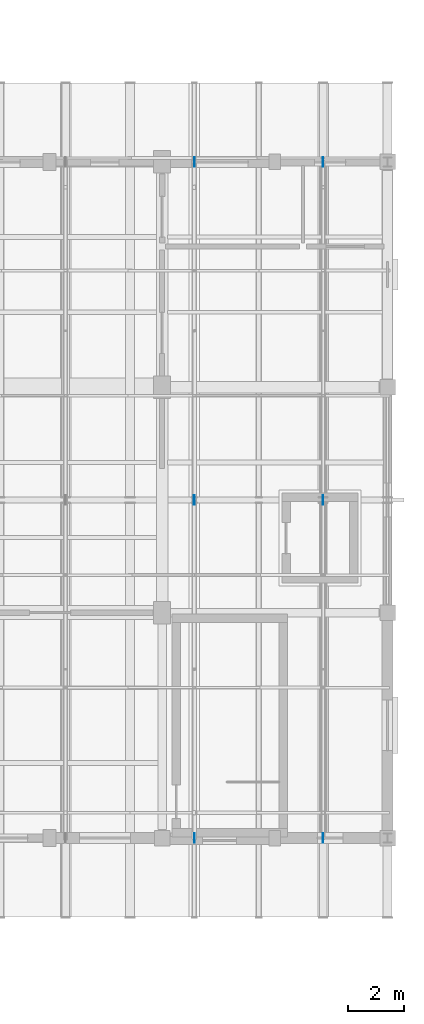
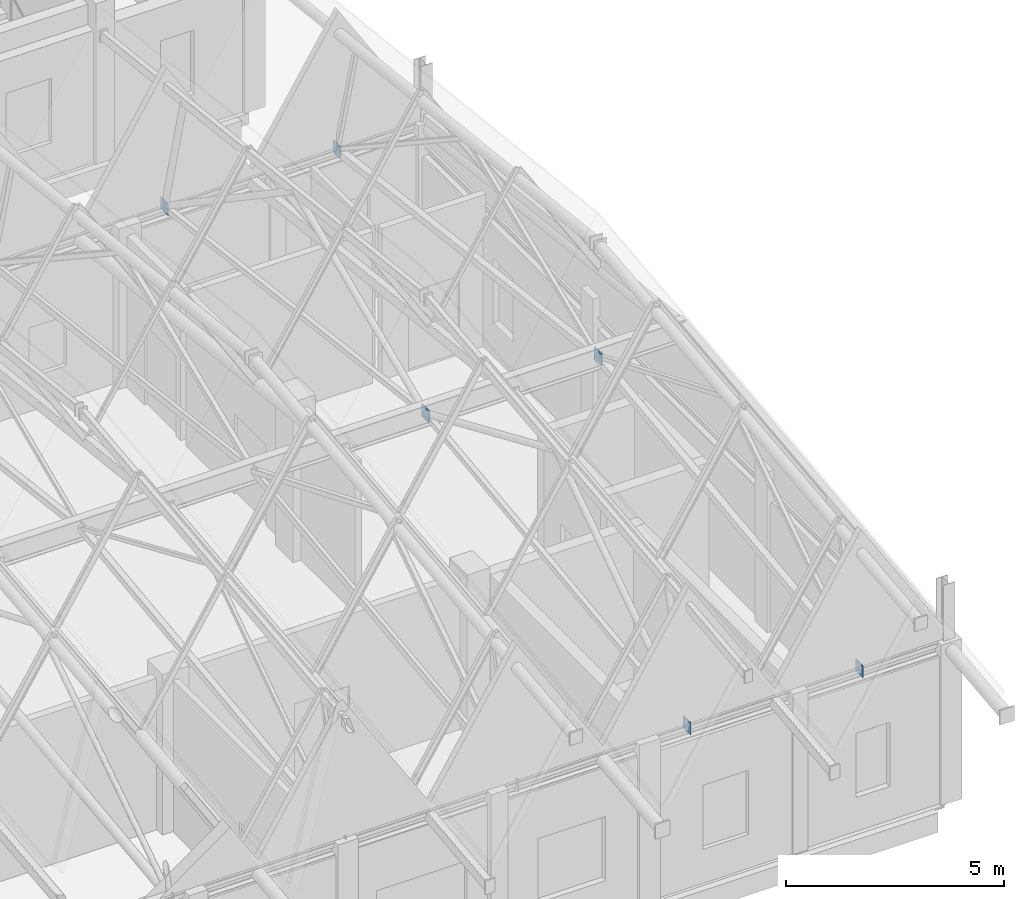
# One storey, part 39 of 77: 6 plates.
"""IFC4 building model written with IfcOpenShell, lengths in metres."""

from ifc_helpers import new_model, si_unit, direction, frame, origin, origin_2d, place, context, subcontext, project, spatial, rectangle, extrude, material, layer, layer_set, type_object, element, save


model = new_model("IFC4")

# Units and contexts
model_context = context("Model", 3, precision=1e-05, world=origin(), true_north=direction((0.0, 1.0)))
body_context = subcontext(model_context, "Body", "Model", "MODEL_VIEW")
ifc_project = project(units=[si_unit("LENGTHUNIT", "METRE"), si_unit("AREAUNIT", "SQUARE_METRE"), si_unit("VOLUMEUNIT", "CUBIC_METRE"), si_unit("PLANEANGLEUNIT", "RADIAN"), si_unit("MASSUNIT", "GRAM", prefix="KILO")], contexts=[model_context])

# Site, building, storey
site_placement = place(None, origin())
site = spatial("IfcSite", under=ifc_project, at=site_placement, CompositionType="ELEMENT")
building_placement = place(site_placement, origin())
building = spatial("IfcBuilding", under=site, at=building_placement, Name="Luwemba Playhouse", CompositionType="ELEMENT")
storey_placement = place(building_placement, frame((0.0, 0.0, 9.300048828125)))
storey = spatial("IfcBuildingStorey", under=building, at=storey_placement, Name="L02", CompositionType="ELEMENT", Elevation=9.300048828125)

# Plates
ifc_material = material(Name="Steel S355", Category="steel")
ifc_layer_1 = layer(ifc_material, 0.01611328125)
ifc_layer_set_1 = layer_set([ifc_layer_1], Name="Steel S355")
plate_type_1 = type_object("IfcPlateType", Name="PLT-GP1", PredefinedType="USERDEFINED", material=ifc_layer_set_1)
for number, where, z_axis, x_axis, name in (
    (1, (165.142822265625, 60.0, 4.22998046875), (0.0, 0.0, 1.0), (1.0, 0.0, 0.0), "Truss node gusset cap plate 0087"),
    (2, (169.71435546875, 60.0, 4.22998046875), (0.0, 0.0, 1.0), (1.0, 0.0, 0.0), "Truss node gusset cap plate 0090"),
):
    element("IfcPlate", number, at=place(storey_placement, frame(where, z_axis=z_axis, x_axis=x_axis)), inside=storey, type_object=plate_type_1, Name=name, ObjectType="GUSSET PLATE", PredefinedType="USERDEFINED", context=body_context, shape_type="SweptSolid", body=[
        extrude(rectangle(XDim=0.01611328125, YDim=0.340087890625, at=origin_2d()), origin(), (0.0, 0.0, 1.0), 0.340087890625),
    ])
ifc_layer_2 = layer(ifc_material, 0.02001953125)
ifc_layer_set_2 = layer_set([ifc_layer_2], Name="Steel S355")
plate_type_2 = type_object("IfcPlateType", Name="PLT-GP2", PredefinedType="USERDEFINED", material=ifc_layer_set_2)
for number, where, z_axis, x_axis, name in (
    (3, (165.142822265625, 36.0, 4.22998046875), (0.0, 0.0, 1.0), (1.0, 0.0, 0.0), "Truss node gusset cap plate 0085"),
    (4, (169.71435546875, 36.0, 4.22998046875), (0.0, 0.0, 1.0), (1.0, 0.0, 0.0), "Truss node gusset cap plate 0088"),
):
    element("IfcPlate", number, at=place(storey_placement, frame(where, z_axis=z_axis, x_axis=x_axis)), inside=storey, type_object=plate_type_2, Name=name, ObjectType="GUSSET PLATE", PredefinedType="USERDEFINED", context=body_context, shape_type="SweptSolid", body=[
        extrude(rectangle(XDim=0.02001953125, YDim=0.340087890625, at=origin_2d()), origin(), (0.0, 0.0, 1.0), 0.340087890625),
    ])
ifc_layer_3 = layer(ifc_material, 0.02490234375)
ifc_layer_set_3 = layer_set([ifc_layer_3], Name="Steel S355")
plate_type_3 = type_object("IfcPlateType", Name="PLT-GP3", PredefinedType="USERDEFINED", material=ifc_layer_set_3)
for number, where, z_axis, x_axis, name in (
    (5, (165.142822265625, 48.0, 5.69580078125), (0.0, 0.0, 1.0), (1.0, 0.0, 0.0), "Truss node gusset cap plate 0086"),
    (6, (169.71435546875, 48.0, 5.69580078125), (0.0, 0.0, 1.0), (1.0, 0.0, 0.0), "Truss node gusset cap plate 0089"),
):
    element("IfcPlate", number, at=place(storey_placement, frame(where, z_axis=z_axis, x_axis=x_axis)), inside=storey, type_object=plate_type_3, Name=name, ObjectType="GUSSET PLATE", PredefinedType="USERDEFINED", context=body_context, shape_type="SweptSolid", body=[
        extrude(rectangle(XDim=0.02490234375, YDim=0.340087890625, at=origin_2d()), origin(), (0.0, 0.0, 1.0), 0.340087890625),
    ])

save(model, "model.ifc")
